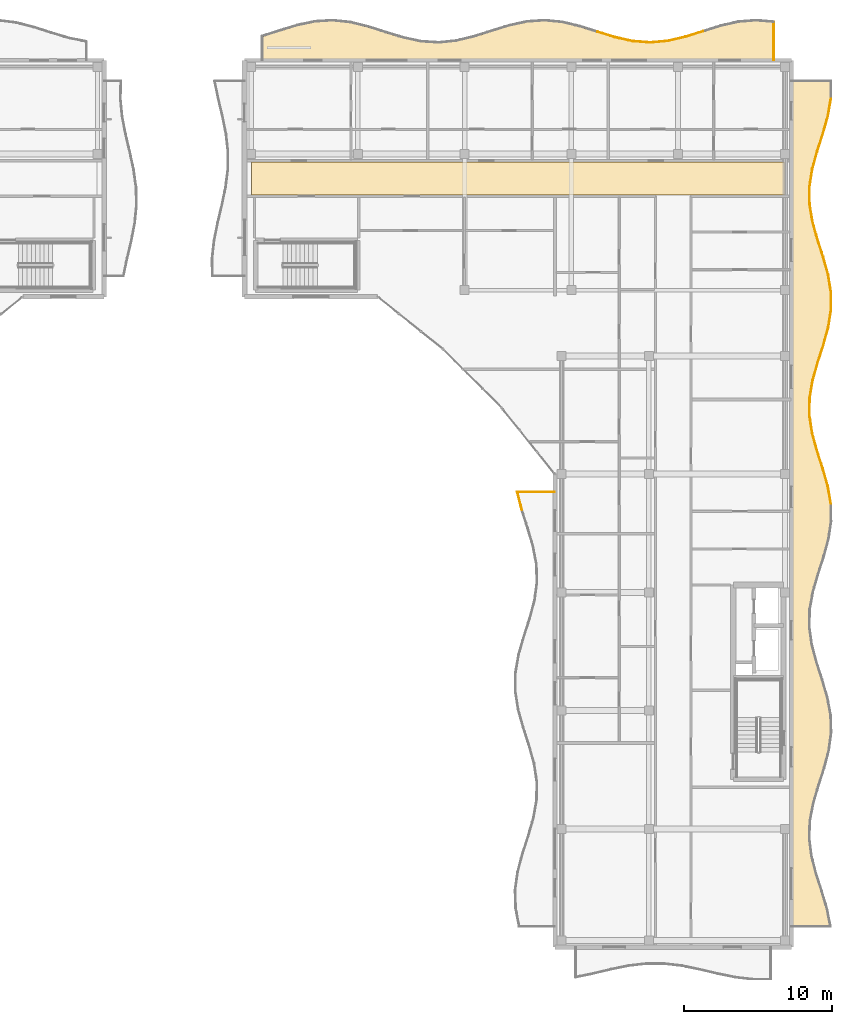
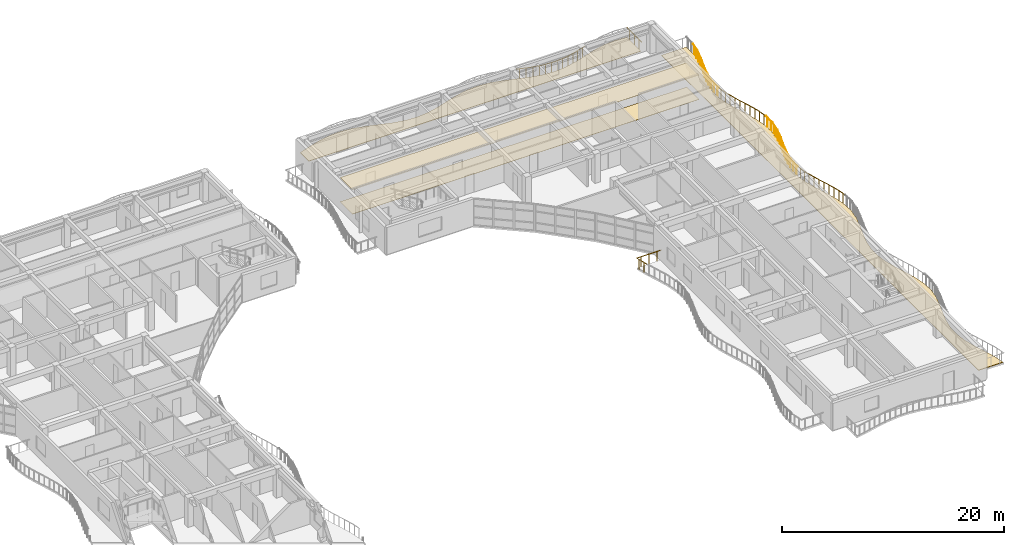
# One storey, part 70 of 71: 32 railings, 4 coverings.
"""IFC4 building model written with IfcOpenShell, lengths in metres."""

import ifcopenshell
import ifcopenshell.guid

model = None  # the IFC model being written
_history = None  # IfcOwnerHistory: only IFC2X3 demands one
_inside = {}  # id of a spatial element -> (the spatial element, [elements in it])
_under = {}  # id of a project, library or spatial element -> (it, [spatial elements below it])
_declared = {}  # id of a project -> (the project, [libraries it declares])
_typed = {}  # id of a type object -> (the type object, [elements of that type])
_made_of = {}  # id of a material, layer set ... -> (it, [elements and type objects made of it])


def new_model(schema):
    """Start an empty IFC model of exactly this schema.

    Asked for "IFC4X3", IfcOpenShell would pick the latest addendum, in which some entities
    have other attributes; the version numbers below select the first issue.
    IFC2X3 requires an IfcOwnerHistory on every rooted entity: one is made here for all.
    """
    global model, _history
    if schema == "IFC4X3":
        model = ifcopenshell.file(schema_version=(4, 3, 0, 0))
    else:
        model = ifcopenshell.file(schema=schema)
    _inside.clear()
    _under.clear()
    _declared.clear()
    _typed.clear()
    _made_of.clear()
    _history = None
    if model.schema == "IFC2X3":
        org = make("IfcOrganization", Name="unknown")
        user = make(
            "IfcPersonAndOrganization",
            ThePerson=make("IfcPerson", FamilyName="unknown"),
            TheOrganization=org,
        )
        app = make(
            "IfcApplication",
            ApplicationDeveloper=org,
            Version="unknown",
            ApplicationFullName="unknown",
            ApplicationIdentifier="unknown",
        )
        _history = make(
            "IfcOwnerHistory",
            OwningUser=user,
            OwningApplication=app,
            ChangeAction="ADDED",
            CreationDate=0,
        )
    return model


def make(cls, **values):
    """One entity of the class cls with the attributes given. An attribute that is None is left unset."""
    return model.create_entity(
        cls, **{name: value for name, value in values.items() if value is not None}
    )


def rooted(cls, **values):
    """An entity with a GlobalId (a new one), such as an element, a storey or a relation."""
    return make(cls, GlobalId=ifcopenshell.guid.new(), OwnerHistory=_history, **values)


def si_unit(unit_type, name, prefix=None):
    """IfcSIUnit, for example si_unit("LENGTHUNIT", "METRE", prefix="MILLI")."""
    return make("IfcSIUnit", UnitType=unit_type, Prefix=prefix, Name=name)


def assignment(units):
    """IfcUnitAssignment: the units of a project."""
    return None if units is None else make("IfcUnitAssignment", Units=units)


def point(xyz):
    """IfcCartesianPoint."""
    return None if xyz is None else make("IfcCartesianPoint", Coordinates=xyz)


def direction(xyz):
    """IfcDirection."""
    return None if xyz is None else make("IfcDirection", DirectionRatios=xyz)


def frame(location, z_axis=None, x_axis=None):
    """IfcAxis2Placement3D, a coordinate frame: its origin and axes. An axis left out is left unset."""
    return make(
        "IfcAxis2Placement3D",
        Location=point(location),
        Axis=direction(z_axis),
        RefDirection=direction(x_axis),
    )


def frame_2d(location, x_axis=None):
    """IfcAxis2Placement2D, a coordinate frame in the plane: its origin and x axis."""
    return make(
        "IfcAxis2Placement2D", Location=point(location), RefDirection=direction(x_axis)
    )


def origin():
    """The frame at (0, 0, 0) with its axes left unset."""
    return frame((0.0, 0.0, 0.0))


def origin_2d():
    """The frame at (0, 0) in the plane with its x axis left unset."""
    return frame_2d((0.0, 0.0))


def place(relative_to, where):
    """IfcLocalPlacement: puts the frame where relative to a parent placement (None: the world)."""
    return make(
        "IfcLocalPlacement", PlacementRelTo=relative_to, RelativePlacement=where
    )


def context(
    kind, dimensions, precision=None, world=None, true_north=None, identifier=None
):
    """IfcGeometricRepresentationContext, for example the 3D "Model" context."""
    return make(
        "IfcGeometricRepresentationContext",
        ContextIdentifier=identifier,
        ContextType=kind,
        CoordinateSpaceDimension=dimensions,
        Precision=precision,
        WorldCoordinateSystem=world,
        TrueNorth=true_north,
    )


def subcontext(parent, identifier, kind, view, scale=None):
    """IfcGeometricRepresentationSubContext, for example "Body" below "Model"."""
    return make(
        "IfcGeometricRepresentationSubContext",
        ContextIdentifier=identifier,
        ContextType=kind,
        ParentContext=parent,
        TargetScale=scale,
        TargetView=view,
    )


def project(units=None, contexts=None):
    """IfcProject with its units and contexts."""
    return rooted(
        "IfcProject",
        Name="project",
        RepresentationContexts=contexts,
        UnitsInContext=assignment(units),
    )


def spatial(cls, under=None, at=None, **own):
    """A site, building, storey or space (cls), placed at a placement, below another one or the project."""
    s = rooted(cls, ObjectPlacement=at, **own)
    if under is not None:
        _under.setdefault(under.id(), (under, []))[1].append(s)
    return s


def polyline(points):
    """IfcPolyline through the points."""
    return make("IfcPolyline", Points=[point(p) for p in points])


def profile(cls, at=None, kind="AREA", **sizes):
    """A parametric profile (cls). Its sizes go by their IFC names, for example OverallWidth=200.0."""
    return make(cls, ProfileType=kind, Position=at, **sizes)


def circle(**sizes):
    """IfcCircleProfileDef."""
    return profile("IfcCircleProfileDef", **sizes)


def outline(outer, holes=None, kind="AREA"):
    """IfcArbitraryClosedProfileDef: a profile drawn as a closed curve; with holes, ...WithVoids."""
    if holes is None:
        return make("IfcArbitraryClosedProfileDef", ProfileType=kind, OuterCurve=outer)
    return make(
        "IfcArbitraryProfileDefWithVoids",
        ProfileType=kind,
        OuterCurve=outer,
        InnerCurves=holes,
    )


def extrude(swept, where, along, depth):
    """IfcExtrudedAreaSolid: the profile swept, set in the frame where, extruded along a direction by depth."""
    return make(
        "IfcExtrudedAreaSolid",
        SweptArea=swept,
        Position=where,
        ExtrudedDirection=direction(along),
        Depth=depth,
    )


def shape(context_of_items, identifier, shape_type, items):
    """IfcShapeRepresentation: the items that make up one representation, for example the "Body"."""
    return make(
        "IfcShapeRepresentation",
        ContextOfItems=context_of_items,
        RepresentationIdentifier=identifier,
        RepresentationType=shape_type,
        Items=items,
    )


def material(Name=None, Category=None):
    """IfcMaterial."""
    return make("IfcMaterial", Name=Name, Category=Category)


def layer(
    of_material, thickness, ventilated=None, Name=None, Category=None, Priority=None
):
    """IfcMaterialLayer: one layer of a wall or slab, of a material (None: an air gap)."""
    return make(
        "IfcMaterialLayer",
        Material=of_material,
        LayerThickness=thickness,
        IsVentilated=ventilated,
        Name=Name,
        Category=Category,
        Priority=Priority,
    )


def layer_set(layers, Name=None):
    """IfcMaterialLayerSet."""
    return make("IfcMaterialLayerSet", MaterialLayers=layers, LayerSetName=Name)


def made_of(thing, what):
    """Note that an element or type object is made of a material, layer set ...; save() writes the relation."""
    if what is not None:
        _made_of.setdefault(what.id(), (what, []))[1].append(thing)
    return thing


def type_object(cls, material=None, **own):
    """A type object (cls), such as IfcWallType, which elements share."""
    return made_of(rooted(cls, **own), material)


def element(
    cls,
    number,
    at=None,
    inside=None,
    cuts=None,
    type_object=None,
    material=None,
    context=None,
    identifier="Body",
    shape_type=None,
    held_by="IfcProductDefinitionShape",
    body=None,
    shapes=None,
    **own,
):
    """One element of the class cls, such as IfcWall. Its Tag is "e" and its number.

    at: its placement. inside: the storey or other place that contains it. cuts: it is an
    opening in that element (IfcRelVoidsElement). A single representation is given by context,
    identifier, shape_type and body (its items); several are given by shapes. held_by: the class
    of the entity that holds the representations. save() writes the other relations.
    """
    e = rooted(cls, Tag="e%d" % number, ObjectPlacement=at, **own)
    if body is not None:
        shapes = [shape(context, identifier, shape_type, body)]
    if shapes is not None:
        e.Representation = make(held_by, Representations=shapes)
    if inside is not None:
        _inside.setdefault(inside.id(), (inside, []))[1].append(e)
    if cuts is not None:
        rooted(
            "IfcRelVoidsElement", RelatingBuildingElement=cuts, RelatedOpeningElement=e
        )
    if type_object is not None:
        _typed.setdefault(type_object.id(), (type_object, []))[1].append(e)
    return made_of(e, material)


def aggregate(whole, parts):
    """IfcRelAggregates: a whole, such as a stair, and the parts it consists of."""
    return rooted("IfcRelAggregates", RelatingObject=whole, RelatedObjects=parts)


def save(model, path):
    """Write the relations noted so far, then the file.

    IfcRelAggregates (storeys below a building ...), IfcRelContainedInSpatialStructure (elements
    in a storey), IfcRelDefinesByType, IfcRelAssociatesMaterial and IfcRelDeclares: one each for
    every whole, place, type object, material and project.
    """
    for whole, parts in _under.values():
        aggregate(whole, parts)
    for where, things in _inside.values():
        rooted(
            "IfcRelContainedInSpatialStructure",
            RelatedElements=things,
            RelatingStructure=where,
        )
    for kind, things in _typed.values():
        rooted("IfcRelDefinesByType", RelatedObjects=things, RelatingType=kind)
    for what, things in _made_of.values():
        rooted("IfcRelAssociatesMaterial", RelatedObjects=things, RelatingMaterial=what)
    for by, libraries in _declared.values():
        rooted("IfcRelDeclares", RelatingContext=by, RelatedDefinitions=libraries)
    model.write(path)


model = new_model("IFC4")

# Units and contexts
model_context = context("Model", 3, precision=1e-05, world=origin(), true_north=direction((0.0, 1.0)))
body_context = subcontext(model_context, "Body", "Model", "MODEL_VIEW")
ifc_project = project(units=[si_unit("LENGTHUNIT", "METRE"), si_unit("AREAUNIT", "SQUARE_METRE"), si_unit("VOLUMEUNIT", "CUBIC_METRE"), si_unit("PLANEANGLEUNIT", "RADIAN"), si_unit("MASSUNIT", "GRAM", prefix="KILO")], contexts=[model_context])

# Site, building, storey
site_placement = place(None, origin())
site = spatial("IfcSite", under=ifc_project, at=site_placement, CompositionType="ELEMENT")
building_placement = place(site_placement, origin())
building = spatial("IfcBuilding", under=site, at=building_placement, Name="Keldmere Railside Commons", CompositionType="ELEMENT")
storey_placement = place(building_placement, frame((0.0, 0.0, 20.159912109375)))
storey = spatial("IfcBuildingStorey", under=building, at=storey_placement, Name="L06", CompositionType="ELEMENT", Elevation=20.159912109375)

# Railings
ifc_material_1 = material(Name="Steel F-24 (S235)", Category="steel")
railing_type = type_object("IfcRailingType", Name="Balcony & Terrace Steel Balustrade 1100", PredefinedType="BALUSTRADE", material=ifc_material_1)
railing_1_placement = place(storey_placement, frame((170.868896484375, 117.925048828125, 0.0)))
element("IfcRailing", 1, at=railing_1_placement, inside=storey, type_object=railing_type, Name="GR-1 GRD-L06-3841", PredefinedType="BALUSTRADE", context=body_context, shape_type="SweptSolid", body=[
    extrude(circle(Radius=0.02392578125, at=origin_2d()), frame((0.0, 0.0, 1.076171875), z_axis=(0.955210932165, -0.295925793186, 0.0), x_axis=(0.295925793186, 0.955210932165, 0.0)), (0.0, 0.0, 1.0), 1.2490234375),
    extrude(circle(Radius=0.02099609375, at=origin_2d()), frame((0.29833984375, -0.09228515625, 0.0)), (0.0, 0.0, 1.0), 1.048095703125),
    extrude(circle(Radius=0.02099609375, at=origin_2d()), frame((0.894775390625, -0.27734375, 0.0)), (0.0, 0.0, 1.0), 1.048095703125),
])
railing_2_placement = place(storey_placement, frame((172.06201171875, 117.555419921875, 0.0)))
element("IfcRailing", 2, at=railing_2_placement, inside=storey, type_object=railing_type, Name="GR-1 GRD-L06-3842", PredefinedType="BALUSTRADE", context=body_context, shape_type="SweptSolid", body=[
    extrude(circle(Radius=0.02392578125, at=origin_2d()), frame((0.0, 0.0, 1.076171875), z_axis=(0.976229343838, -0.216740093731, 0.0), x_axis=(0.216740093731, 0.976229343838, 0.0)), (0.0, 0.0, 1.0), 1.22216796875),
    extrude(circle(Radius=0.02099609375, at=origin_2d()), frame((0.29833984375, -0.066162109375, 0.0)), (0.0, 0.0, 1.0), 1.048095703125),
    extrude(circle(Radius=0.02099609375, at=origin_2d()), frame((0.894775390625, -0.19873046875, 0.0)), (0.0, 0.0, 1.0), 1.048095703125),
])
railing_3_placement = place(storey_placement, frame((173.255126953125, 117.29052734375, 0.0)))
element("IfcRailing", 3, at=railing_3_placement, inside=storey, type_object=railing_type, Name="GR-1 GRD-L06-3843", PredefinedType="BALUSTRADE", context=body_context, shape_type="SweptSolid", body=[
    extrude(circle(Radius=0.02392578125, at=origin_2d()), frame((0.0, 0.0, 1.076171875), z_axis=(0.997146180009, -0.075495004421, 0.0), x_axis=(0.075495004421, 0.997146180009, 0.0)), (0.0, 0.0, 1.0), 1.196533203125),
    extrude(circle(Radius=0.02099609375, at=origin_2d()), frame((0.29833984375, -0.0224609375, 0.0)), (0.0, 0.0, 1.0), 1.048095703125),
    extrude(circle(Radius=0.02099609375, at=origin_2d()), frame((0.894775390625, -0.06787109375, 0.0)), (0.0, 0.0, 1.0), 1.048095703125),
])
railing_4_placement = place(storey_placement, frame((174.4482421875, 117.2001953125, 0.0)))
element("IfcRailing", 4, at=railing_4_placement, inside=storey, type_object=railing_type, Name="GR-1 GRD-L06-3844", PredefinedType="BALUSTRADE", context=body_context, shape_type="SweptSolid", body=[
    extrude(circle(Radius=0.02392578125, at=origin_2d()), frame((0.0, 0.0, 1.076171875), z_axis=(0.995898216053, 0.090480623681, 0.0), x_axis=(-0.090480623681, 0.995898216053, 0.0)), (0.0, 0.0, 1.0), 1.197998046875),
    extrude(circle(Radius=0.02099609375, at=origin_2d()), frame((0.29833984375, 0.027099609375, 0.0)), (0.0, 0.0, 1.0), 1.048095703125),
    extrude(circle(Radius=0.02099609375, at=origin_2d()), frame((0.894775390625, 0.081298828125, 0.0)), (0.0, 0.0, 1.0), 1.048095703125),
])
railing_5_placement = place(storey_placement, frame((175.641357421875, 117.30859375, 0.0)))
element("IfcRailing", 5, at=railing_5_placement, inside=storey, type_object=railing_type, Name="GR-1 GRD-L06-3845", PredefinedType="BALUSTRADE", context=body_context, shape_type="SweptSolid", body=[
    extrude(circle(Radius=0.02392578125, at=origin_2d()), frame((0.0, 0.0, 1.076171875), z_axis=(0.973854437062, 0.227172919634, 0.0), x_axis=(-0.227172919634, 0.973854437062, 0.0)), (0.0, 0.0, 1.0), 1.22509765625),
    extrude(circle(Radius=0.02099609375, at=origin_2d()), frame((0.29833984375, 0.069580078125, 0.0)), (0.0, 0.0, 1.0), 1.048095703125),
    extrude(circle(Radius=0.02099609375, at=origin_2d()), frame((0.894775390625, 0.208740234375, 0.0)), (0.0, 0.0, 1.0), 1.048095703125),
])
railing_6_placement = place(storey_placement, frame((176.83447265625, 117.5869140625, 0.0)))
element("IfcRailing", 6, at=railing_6_placement, inside=storey, type_object=railing_type, Name="GR-1 GRD-L06-3846", PredefinedType="BALUSTRADE", context=body_context, shape_type="SweptSolid", body=[
    extrude(circle(Radius=0.02392578125, at=origin_2d()), frame((0.0, 0.0, 1.076171875), z_axis=(0.954100555413, 0.299486444036, 0.0), x_axis=(-0.299486444036, 0.954100555413, 0.0)), (0.0, 0.0, 1.0), 1.25048828125),
    extrude(circle(Radius=0.02099609375, at=origin_2d()), frame((0.29833984375, 0.09375, 0.0)), (0.0, 0.0, 1.0), 1.048095703125),
    extrude(circle(Radius=0.02099609375, at=origin_2d()), frame((0.894775390625, 0.28076171875, 0.0)), (0.0, 0.0, 1.0), 1.048095703125),
])
railing_7_placement = place(storey_placement, frame((182.800048828125, 118.598388671875, 0.0)))
element("IfcRailing", 7, at=railing_7_placement, inside=storey, type_object=railing_type, Name="GR-1 GRD-L06-3851", PredefinedType="BALUSTRADE", context=body_context, shape_type="SweptSolid", body=[
    extrude(circle(Radius=0.02392578125, at=origin_2d()), frame((0.0, 0.0, 1.076171875), z_axis=(0.0, -1.0, 0.0), x_axis=(1.0, 0.0, 0.0)), (0.0, 0.0, 1.0), 2.598388671875),
    extrude(circle(Radius=0.02099609375, at=origin_2d()), frame((0.0, -0.43310546875, 0.0)), (0.0, 0.0, 1.0), 1.048095703125),
    extrude(circle(Radius=0.02099609375, at=origin_2d()), frame((0.0, -1.29931640625, 0.0)), (0.0, 0.0, 1.0), 1.048095703125),
    extrude(circle(Radius=0.02099609375, at=origin_2d()), frame((0.0, -2.165283203125, 0.0)), (0.0, 0.0, 1.0), 1.048095703125),
])
railing_8_placement = place(storey_placement, frame((165.761962890625, 85.574951171875, 0.0)))
element("IfcRailing", 8, at=railing_8_placement, inside=storey, type_object=railing_type, Name="GR-1 GRD-L06-3876", PredefinedType="BALUSTRADE", context=body_context, shape_type="SweptSolid", body=[
    extrude(circle(Radius=0.02392578125, at=origin_2d()), frame((0.0, 0.0, 1.076171875), z_axis=(-0.24716724352, 0.968972834362, 0.0), x_axis=(-0.968972834362, -0.24716724352, 0.0)), (0.0, 0.0, 1.0), 1.264404296875),
    extrude(circle(Radius=0.02099609375, at=origin_2d()), frame((-0.078125, 0.30615234375, 0.0)), (0.0, 0.0, 1.0), 1.048095703125),
    extrude(circle(Radius=0.02099609375, at=origin_2d()), frame((-0.234375, 0.9189453125, 0.0)), (0.0, 0.0, 1.0), 1.048095703125),
])
railing_9_placement = place(storey_placement, frame((165.449462890625, 86.800048828125, 0.0)))
element("IfcRailing", 9, at=railing_9_placement, inside=storey, type_object=railing_type, Name="GR-1 GRD-L06-3877", PredefinedType="BALUSTRADE", context=body_context, shape_type="SweptSolid", body=[
    extrude(circle(Radius=0.02392578125, at=origin_2d()), frame((0.0, 0.0, 1.076171875), z_axis=(1.0, 0.0, 0.0), x_axis=(0.0, 1.0, 0.0)), (0.0, 0.0, 1.0), 2.550537109375),
    extrude(circle(Radius=0.02099609375, at=origin_2d()), frame((0.425048828125, 0.0, 0.0)), (0.0, 0.0, 1.0), 1.048095703125),
    extrude(circle(Radius=0.02099609375, at=origin_2d()), frame((1.275390625, 0.0, 0.0)), (0.0, 0.0, 1.0), 1.048095703125),
    extrude(circle(Radius=0.02099609375, at=origin_2d()), frame((2.12548828125, 0.0, 0.0)), (0.0, 0.0, 1.0), 1.048095703125),
])
railing_10_placement = place(storey_placement, frame((186.66455078125, 86.0, 0.0)))
element("IfcRailing", 10, at=railing_10_placement, inside=storey, type_object=railing_type, Name="GR-1 GRD-L06-3903", PredefinedType="BALUSTRADE", context=body_context, shape_type="SweptSolid", body=[
    extrude(circle(Radius=0.02392578125, at=origin_2d()), frame((0.0, 0.0, 1.076171875), z_axis=(-0.171758524499, 0.985139081177, 0.0), x_axis=(-0.985139081177, -0.171758524499, 0.0)), (0.0, 0.0, 1.0), 1.209716796875),
    extrude(circle(Radius=0.02099609375, at=origin_2d()), frame((-0.052001953125, 0.2978515625, 0.0)), (0.0, 0.0, 1.0), 1.048095703125),
    extrude(circle(Radius=0.02099609375, at=origin_2d()), frame((-0.15576171875, 0.893798828125, 0.0)), (0.0, 0.0, 1.0), 1.048095703125),
])
railing_11_placement = place(storey_placement, frame((186.456787109375, 87.191650390625, 0.0)))
element("IfcRailing", 11, at=railing_11_placement, inside=storey, type_object=railing_type, Name="GR-1 GRD-L06-3904", PredefinedType="BALUSTRADE", context=body_context, shape_type="SweptSolid", body=[
    extrude(circle(Radius=0.02392578125, at=origin_2d()), frame((0.0, 0.0, 1.076171875), z_axis=(-0.27552739493, 0.961293219909, 0.0), x_axis=(-0.961293219909, -0.27552739493, 0.0)), (0.0, 0.0, 1.0), 1.23974609375),
    extrude(circle(Radius=0.02099609375, at=origin_2d()), frame((-0.08544921875, 0.2978515625, 0.0)), (0.0, 0.0, 1.0), 1.048095703125),
    extrude(circle(Radius=0.02099609375, at=origin_2d()), frame((-0.256103515625, 0.893798828125, 0.0)), (0.0, 0.0, 1.0), 1.048095703125),
])
railing_12_placement = place(storey_placement, frame((186.115234375, 88.38330078125, 0.0)))
element("IfcRailing", 12, at=railing_12_placement, inside=storey, type_object=railing_type, Name="GR-1 GRD-L06-3905", PredefinedType="BALUSTRADE", context=body_context, shape_type="SweptSolid", body=[
    extrude(circle(Radius=0.02392578125, at=origin_2d()), frame((0.0, 0.0, 1.076171875), z_axis=(-0.307617856701, 0.951509986411, 0.0), x_axis=(-0.951509986411, -0.307617856701, 0.0)), (0.0, 0.0, 1.0), 1.25244140625),
    extrude(circle(Radius=0.02099609375, at=origin_2d()), frame((-0.09619140625, 0.2978515625, 0.0)), (0.0, 0.0, 1.0), 1.048095703125),
    extrude(circle(Radius=0.02099609375, at=origin_2d()), frame((-0.2890625, 0.893798828125, 0.0)), (0.0, 0.0, 1.0), 1.048095703125),
])
railing_13_placement = place(storey_placement, frame((185.72998046875, 89.574951171875, 0.0)))
element("IfcRailing", 13, at=railing_13_placement, inside=storey, type_object=railing_type, Name="GR-1 GRD-L06-3906", PredefinedType="BALUSTRADE", context=body_context, shape_type="SweptSolid", body=[
    extrude(circle(Radius=0.02392578125, at=origin_2d()), frame((0.0, 0.0, 1.076171875), z_axis=(-0.264738596027, 0.964320214334, 0.0), x_axis=(-0.964320214334, -0.264738596027, 0.0)), (0.0, 0.0, 1.0), 1.23583984375),
    extrude(circle(Radius=0.02099609375, at=origin_2d()), frame((-0.081787109375, 0.2978515625, 0.0)), (0.0, 0.0, 1.0), 1.048095703125),
    extrude(circle(Radius=0.02099609375, at=origin_2d()), frame((-0.245361328125, 0.893798828125, 0.0)), (0.0, 0.0, 1.0), 1.048095703125),
])
railing_14_placement = place(storey_placement, frame((185.40283203125, 90.7666015625, 0.0)))
element("IfcRailing", 14, at=railing_14_placement, inside=storey, type_object=railing_type, Name="GR-1 GRD-L06-3907", PredefinedType="BALUSTRADE", context=body_context, shape_type="SweptSolid", body=[
    extrude(circle(Radius=0.02392578125, at=origin_2d()), frame((0.0, 0.0, 1.076171875), z_axis=(-0.151478887307, 0.988460493242, 0.0), x_axis=(-0.988460493242, -0.151478887307, 0.0)), (0.0, 0.0, 1.0), 1.20556640625),
    extrude(circle(Radius=0.02099609375, at=origin_2d()), frame((-0.045654296875, 0.2978515625, 0.0)), (0.0, 0.0, 1.0), 1.048095703125),
    extrude(circle(Radius=0.02099609375, at=origin_2d()), frame((-0.136962890625, 0.893798828125, 0.0)), (0.0, 0.0, 1.0), 1.048095703125),
])
railing_15_placement = place(storey_placement, frame((185.22021484375, 91.958251953125, 0.0)))
element("IfcRailing", 15, at=railing_15_placement, inside=storey, type_object=railing_type, Name="GR-1 GRD-L06-3908", PredefinedType="BALUSTRADE", context=body_context, shape_type="SweptSolid", body=[
    extrude(circle(Radius=0.02392578125, at=origin_2d()), frame((0.0, 0.0, 1.076171875), z_axis=(0.008809328309, 0.999961197115, 0.0), x_axis=(-0.999961197115, 0.008809328309, 0.0)), (0.0, 0.0, 1.0), 1.191650390625),
    extrude(circle(Radius=0.02099609375, at=origin_2d()), frame((0.002685546875, 0.2978515625, 0.0)), (0.0, 0.0, 1.0), 1.048095703125),
    extrude(circle(Radius=0.02099609375, at=origin_2d()), frame((0.0078125, 0.893798828125, 0.0)), (0.0, 0.0, 1.0), 1.048095703125),
])
railing_16_placement = place(storey_placement, frame((185.230712890625, 93.14990234375, 0.0)))
element("IfcRailing", 16, at=railing_16_placement, inside=storey, type_object=railing_type, Name="GR-1 GRD-L06-3909", PredefinedType="BALUSTRADE", context=body_context, shape_type="SweptSolid", body=[
    extrude(circle(Radius=0.02392578125, at=origin_2d()), frame((0.0, 0.0, 1.076171875), z_axis=(0.16584009253, 0.986152657406, 0.0), x_axis=(-0.986152657406, 0.16584009253, 0.0)), (0.0, 0.0, 1.0), 1.208740234375),
    extrude(circle(Radius=0.02099609375, at=origin_2d()), frame((0.050048828125, 0.2978515625, 0.0)), (0.0, 0.0, 1.0), 1.048095703125),
    extrude(circle(Radius=0.02099609375, at=origin_2d()), frame((0.150390625, 0.89404296875, 0.0)), (0.0, 0.0, 1.0), 1.048095703125),
])
railing_17_placement = place(storey_placement, frame((185.43115234375, 94.341796875, 0.0)))
element("IfcRailing", 17, at=railing_17_placement, inside=storey, type_object=railing_type, Name="GR-1 GRD-L06-3910", PredefinedType="BALUSTRADE", context=body_context, shape_type="SweptSolid", body=[
    extrude(circle(Radius=0.02392578125, at=origin_2d()), frame((0.0, 0.0, 1.076171875), z_axis=(0.272663406136, 0.962109488028, 0.0), x_axis=(-0.962109488028, 0.272663406136, 0.0)), (0.0, 0.0, 1.0), 1.23828125),
    extrude(circle(Radius=0.02099609375, at=origin_2d()), frame((0.08447265625, 0.2978515625, 0.0)), (0.0, 0.0, 1.0), 1.048095703125),
    extrude(circle(Radius=0.02099609375, at=origin_2d()), frame((0.253173828125, 0.8935546875, 0.0)), (0.0, 0.0, 1.0), 1.048095703125),
])
railing_18_placement = place(storey_placement, frame((185.768798828125, 95.533203125, 0.0)))
element("IfcRailing", 18, at=railing_18_placement, inside=storey, type_object=railing_type, Name="GR-1 GRD-L06-3911", PredefinedType="BALUSTRADE", context=body_context, shape_type="SweptSolid", body=[
    extrude(circle(Radius=0.02392578125, at=origin_2d()), frame((0.0, 0.0, 1.076171875), z_axis=(0.307737259803, 0.95147137578, 0.0), x_axis=(-0.95147137578, 0.307737259803, 0.0)), (0.0, 0.0, 1.0), 1.252685546875),
    extrude(circle(Radius=0.02099609375, at=origin_2d()), frame((0.096435546875, 0.2978515625, 0.0)), (0.0, 0.0, 1.0), 1.048095703125),
    extrude(circle(Radius=0.02099609375, at=origin_2d()), frame((0.2890625, 0.89404296875, 0.0)), (0.0, 0.0, 1.0), 1.048095703125),
])
railing_19_placement = place(storey_placement, frame((186.154296875, 96.72509765625, 0.0)))
element("IfcRailing", 19, at=railing_19_placement, inside=storey, type_object=railing_type, Name="GR-1 GRD-L06-3912", PredefinedType="BALUSTRADE", context=body_context, shape_type="SweptSolid", body=[
    extrude(circle(Radius=0.02392578125, at=origin_2d()), frame((0.0, 0.0, 1.076171875), z_axis=(0.268040861554, 0.963407544364, 0.0), x_axis=(-0.963407544364, 0.268040861554, 0.0)), (0.0, 0.0, 1.0), 1.23681640625),
    extrude(circle(Radius=0.02099609375, at=origin_2d()), frame((0.0830078125, 0.2978515625, 0.0)), (0.0, 0.0, 1.0), 1.048095703125),
    extrude(circle(Radius=0.02099609375, at=origin_2d()), frame((0.24853515625, 0.893798828125, 0.0)), (0.0, 0.0, 1.0), 1.048095703125),
])
railing_20_placement = place(storey_placement, frame((186.48583984375, 97.916748046875, 0.0)))
element("IfcRailing", 20, at=railing_20_placement, inside=storey, type_object=railing_type, Name="GR-1 GRD-L06-3913", PredefinedType="BALUSTRADE", context=body_context, shape_type="SweptSolid", body=[
    extrude(circle(Radius=0.02392578125, at=origin_2d()), frame((0.0, 0.0, 1.076171875), z_axis=(0.157406548712, 0.987533887227, 0.0), x_axis=(-0.987533887227, 0.157406548712, 0.0)), (0.0, 0.0, 1.0), 1.206787109375),
    extrude(circle(Radius=0.02099609375, at=origin_2d()), frame((0.04736328125, 0.2978515625, 0.0)), (0.0, 0.0, 1.0), 1.048095703125),
    extrude(circle(Radius=0.02099609375, at=origin_2d()), frame((0.142578125, 0.893798828125, 0.0)), (0.0, 0.0, 1.0), 1.048095703125),
])
railing_21_placement = place(storey_placement, frame((186.67578125, 99.1083984375, 0.0)))
element("IfcRailing", 21, at=railing_21_placement, inside=storey, type_object=railing_type, Name="GR-1 GRD-L06-3914", PredefinedType="BALUSTRADE", context=body_context, shape_type="SweptSolid", body=[
    extrude(circle(Radius=0.02392578125, at=origin_2d()), frame((0.0, 0.0, 1.076171875), z_axis=(-0.001639006198, 0.999998656828, 0.0), x_axis=(-0.999998656828, -0.001639006198, 0.0)), (0.0, 0.0, 1.0), 1.191650390625),
    extrude(circle(Radius=0.02099609375, at=origin_2d()), frame((-0.00048828125, 0.2978515625, 0.0)), (0.0, 0.0, 1.0), 1.048095703125),
    extrude(circle(Radius=0.02099609375, at=origin_2d()), frame((-0.00146484375, 0.893798828125, 0.0)), (0.0, 0.0, 1.0), 1.048095703125),
])
railing_22_placement = place(storey_placement, frame((186.673828125, 100.300048828125, 0.0)))
element("IfcRailing", 22, at=railing_22_placement, inside=storey, type_object=railing_type, Name="GR-1 GRD-L06-3915", PredefinedType="BALUSTRADE", context=body_context, shape_type="SweptSolid", body=[
    extrude(circle(Radius=0.02392578125, at=origin_2d()), frame((0.0, 0.0, 1.076171875), z_axis=(-0.160167019651, 0.987089927928, 0.0), x_axis=(-0.987089927928, -0.160167019651, 0.0)), (0.0, 0.0, 1.0), 1.207275390625),
    extrude(circle(Radius=0.02099609375, at=origin_2d()), frame((-0.04833984375, 0.2978515625, 0.0)), (0.0, 0.0, 1.0), 1.048095703125),
    extrude(circle(Radius=0.02099609375, at=origin_2d()), frame((-0.14501953125, 0.893798828125, 0.0)), (0.0, 0.0, 1.0), 1.048095703125),
])
railing_23_placement = place(storey_placement, frame((186.48046875, 101.49169921875, 0.0)))
element("IfcRailing", 23, at=railing_23_placement, inside=storey, type_object=railing_type, Name="GR-1 GRD-L06-3916", PredefinedType="BALUSTRADE", context=body_context, shape_type="SweptSolid", body=[
    extrude(circle(Radius=0.02392578125, at=origin_2d()), frame((0.0, 0.0, 1.076171875), z_axis=(-0.269505515933, 0.962998845732, 0.0), x_axis=(-0.962998845732, -0.269505515933, 0.0)), (0.0, 0.0, 1.0), 1.237548828125),
    extrude(circle(Radius=0.02099609375, at=origin_2d()), frame((-0.08349609375, 0.2978515625, 0.0)), (0.0, 0.0, 1.0), 1.048095703125),
    extrude(circle(Radius=0.02099609375, at=origin_2d()), frame((-0.25, 0.893798828125, 0.0)), (0.0, 0.0, 1.0), 1.048095703125),
])
railing_24_placement = place(storey_placement, frame((186.14697265625, 102.683349609375, 0.0)))
element("IfcRailing", 24, at=railing_24_placement, inside=storey, type_object=railing_type, Name="GR-1 GRD-L06-3917", PredefinedType="BALUSTRADE", context=body_context, shape_type="SweptSolid", body=[
    extrude(circle(Radius=0.02392578125, at=origin_2d()), frame((0.0, 0.0, 1.076171875), z_axis=(-0.307794335351, 0.951452913772, 0.0), x_axis=(-0.951452913772, -0.307794335351, 0.0)), (0.0, 0.0, 1.0), 1.25244140625),
    extrude(circle(Radius=0.02099609375, at=origin_2d()), frame((-0.096435546875, 0.2978515625, 0.0)), (0.0, 0.0, 1.0), 1.048095703125),
    extrude(circle(Radius=0.02099609375, at=origin_2d()), frame((-0.2890625, 0.893798828125, 0.0)), (0.0, 0.0, 1.0), 1.048095703125),
])
railing_25_placement = place(storey_placement, frame((185.761474609375, 103.875, 0.0)))
element("IfcRailing", 25, at=railing_25_placement, inside=storey, type_object=railing_type, Name="GR-1 GRD-L06-3918", PredefinedType="BALUSTRADE", context=body_context, shape_type="SweptSolid", body=[
    extrude(circle(Radius=0.02392578125, at=origin_2d()), frame((0.0, 0.0, 1.076171875), z_axis=(-0.271333706361, 0.962485334845, 0.0), x_axis=(-0.962485334845, -0.271333706361, 0.0)), (0.0, 0.0, 1.0), 1.238037109375),
    extrude(circle(Radius=0.02099609375, at=origin_2d()), frame((-0.083984375, 0.2978515625, 0.0)), (0.0, 0.0, 1.0), 1.048095703125),
    extrude(circle(Radius=0.02099609375, at=origin_2d()), frame((-0.251953125, 0.893798828125, 0.0)), (0.0, 0.0, 1.0), 1.048095703125),
])
railing_26_placement = place(storey_placement, frame((185.425537109375, 105.066650390625, 0.0)))
element("IfcRailing", 26, at=railing_26_placement, inside=storey, type_object=railing_type, Name="GR-1 GRD-L06-3919", PredefinedType="BALUSTRADE", context=body_context, shape_type="SweptSolid", body=[
    extrude(circle(Radius=0.02392578125, at=origin_2d()), frame((0.0, 0.0, 1.076171875), z_axis=(-0.163120501101, 0.986606153498, 0.0), x_axis=(-0.986606153498, -0.163120501101, 0.0)), (0.0, 0.0, 1.0), 1.207763671875),
    extrude(circle(Radius=0.02099609375, at=origin_2d()), frame((-0.04931640625, 0.2978515625, 0.0)), (0.0, 0.0, 1.0), 1.048095703125),
    extrude(circle(Radius=0.02099609375, at=origin_2d()), frame((-0.147705078125, 0.893798828125, 0.0)), (0.0, 0.0, 1.0), 1.048095703125),
])
railing_27_placement = place(storey_placement, frame((185.228515625, 106.25830078125, 0.0)))
element("IfcRailing", 27, at=railing_27_placement, inside=storey, type_object=railing_type, Name="GR-1 GRD-L06-3920", PredefinedType="BALUSTRADE", context=body_context, shape_type="SweptSolid", body=[
    extrude(circle(Radius=0.02392578125, at=origin_2d()), frame((0.0, 0.0, 1.076171875), z_axis=(-0.005326701729, 0.999985813024, 0.0), x_axis=(-0.999985813024, -0.005326701729, 0.0)), (0.0, 0.0, 1.0), 1.191650390625),
    extrude(circle(Radius=0.02099609375, at=origin_2d()), frame((-0.00146484375, 0.2978515625, 0.0)), (0.0, 0.0, 1.0), 1.048095703125),
    extrude(circle(Radius=0.02099609375, at=origin_2d()), frame((-0.0048828125, 0.893798828125, 0.0)), (0.0, 0.0, 1.0), 1.048095703125),
])
railing_28_placement = place(storey_placement, frame((185.22216796875, 107.449951171875, 0.0)))
element("IfcRailing", 28, at=railing_28_placement, inside=storey, type_object=railing_type, Name="GR-1 GRD-L06-3921", PredefinedType="BALUSTRADE", context=body_context, shape_type="SweptSolid", body=[
    extrude(circle(Radius=0.02392578125, at=origin_2d()), frame((0.0, 0.0, 1.076171875), z_axis=(0.154247203987, 0.988032286953, 0.0), x_axis=(-0.988032286953, 0.154247203987, 0.0)), (0.0, 0.0, 1.0), 1.2060546875),
    extrude(circle(Radius=0.02099609375, at=origin_2d()), frame((0.04638671875, 0.2978515625, 0.0)), (0.0, 0.0, 1.0), 1.048095703125),
    extrude(circle(Radius=0.02099609375, at=origin_2d()), frame((0.1396484375, 0.893798828125, 0.0)), (0.0, 0.0, 1.0), 1.048095703125),
])
railing_29_placement = place(storey_placement, frame((185.408203125, 108.6416015625, 0.0)))
element("IfcRailing", 29, at=railing_29_placement, inside=storey, type_object=railing_type, Name="GR-1 GRD-L06-3922", PredefinedType="BALUSTRADE", context=body_context, shape_type="SweptSolid", body=[
    extrude(circle(Radius=0.02392578125, at=origin_2d()), frame((0.0, 0.0, 1.076171875), z_axis=(0.266207427511, 0.963915766827, 0.0), x_axis=(-0.963915766827, 0.266207427511, 0.0)), (0.0, 0.0, 1.0), 1.236328125),
    extrude(circle(Radius=0.02099609375, at=origin_2d()), frame((0.082275390625, 0.2978515625, 0.0)), (0.0, 0.0, 1.0), 1.048095703125),
    extrude(circle(Radius=0.02099609375, at=origin_2d()), frame((0.246826171875, 0.893798828125, 0.0)), (0.0, 0.0, 1.0), 1.048095703125),
])
railing_30_placement = place(storey_placement, frame((185.7373046875, 109.833251953125, 0.0)))
element("IfcRailing", 30, at=railing_30_placement, inside=storey, type_object=railing_type, Name="GR-1 GRD-L06-3923", PredefinedType="BALUSTRADE", context=body_context, shape_type="SweptSolid", body=[
    extrude(circle(Radius=0.02392578125, at=origin_2d()), frame((0.0, 0.0, 1.076171875), z_axis=(0.307794335351, 0.951452913772, 0.0), x_axis=(-0.951452913772, 0.307794335351, 0.0)), (0.0, 0.0, 1.0), 1.25244140625),
    extrude(circle(Radius=0.02099609375, at=origin_2d()), frame((0.096435546875, 0.2978515625, 0.0)), (0.0, 0.0, 1.0), 1.048095703125),
    extrude(circle(Radius=0.02099609375, at=origin_2d()), frame((0.2890625, 0.893798828125, 0.0)), (0.0, 0.0, 1.0), 1.048095703125),
])
railing_31_placement = place(storey_placement, frame((186.122802734375, 111.02490234375, 0.0)))
element("IfcRailing", 31, at=railing_31_placement, inside=storey, type_object=railing_type, Name="GR-1 GRD-L06-3924", PredefinedType="BALUSTRADE", context=body_context, shape_type="SweptSolid", body=[
    extrude(circle(Radius=0.02392578125, at=origin_2d()), frame((0.0, 0.0, 1.076171875), z_axis=(0.274018566764, 0.961724401827, 0.0), x_axis=(-0.961724401827, 0.274018566764, 0.0)), (0.0, 0.0, 1.0), 1.2392578125),
    extrude(circle(Radius=0.02099609375, at=origin_2d()), frame((0.0849609375, 0.2978515625, 0.0)), (0.0, 0.0, 1.0), 1.048095703125),
    extrude(circle(Radius=0.02099609375, at=origin_2d()), frame((0.254638671875, 0.89404296875, 0.0)), (0.0, 0.0, 1.0), 1.048095703125),
])
railing_32_placement = place(storey_placement, frame((186.46240234375, 112.216796875, 0.0)))
element("IfcRailing", 32, at=railing_32_placement, inside=storey, type_object=railing_type, Name="GR-1 GRD-L06-3925", PredefinedType="BALUSTRADE", context=body_context, shape_type="SweptSolid", body=[
    extrude(circle(Radius=0.02392578125, at=origin_2d()), frame((0.0, 0.0, 1.076171875), z_axis=(0.169047901435, 0.985607836323, 0.0), x_axis=(-0.985607836323, 0.169047901435, 0.0)), (0.0, 0.0, 1.0), 1.208740234375),
    extrude(circle(Radius=0.02099609375, at=origin_2d()), frame((0.051025390625, 0.2978515625, 0.0)), (0.0, 0.0, 1.0), 1.048095703125),
    extrude(circle(Radius=0.02099609375, at=origin_2d()), frame((0.1533203125, 0.8935546875, 0.0)), (0.0, 0.0, 1.0), 1.048095703125),
])

# Coverings
ifc_material_2 = material(Name="Polished Terrazzo Tile Flooring", Category="concrete")
ifc_layer_1 = layer(ifc_material_2, 0.030029296875, Name="Polished Terrazzo Floor Finish 30")
ifc_layer_set_1 = layer_set([ifc_layer_1], Name="Polished Terrazzo Tile Flooring")
covering_type_1 = type_object("IfcCoveringType", Name="Polished Terrazzo Floor Finish 30", PredefinedType="FLOORING", material=ifc_layer_set_1)
covering_1_placement = place(storey_placement, origin())
element("IfcCovering", 33, at=covering_1_placement, inside=storey, type_object=covering_type_1, Name="FLR-1 Corridor Terrazzo A-L06", PredefinedType="FLOORING", context=body_context, shape_type="SweptSolid", body=[
    extrude(outline(polyline([(147.47998046875, 106.8798828125), (183.52001953125, 106.8798828125), (183.52001953125, 109.1201171875), (147.47998046875, 109.1201171875), (147.47998046875, 106.8798828125)])), origin(), (0.0, 0.0, 1.0), 0.030029296875),
])
ifc_material_3 = material(Name="Acoustic Mineral-Fibre Gypsum Ceiling", Category="gypsum")
ifc_layer_2 = layer(ifc_material_3, 0.02490234375, Name="Suspended Acoustic Ceiling 25")
ifc_layer_set_2 = layer_set([ifc_layer_2], Name="Acoustic Mineral-Fibre Gypsum Ceiling")
covering_type_2 = type_object("IfcCoveringType", Name="Suspended Acoustic Ceiling 25", PredefinedType="CEILING", material=ifc_layer_set_2)
covering_2_placement = place(storey_placement, frame((0.0, 0.0, 2.675048828125)))
element("IfcCovering", 34, at=covering_2_placement, inside=storey, type_object=covering_type_2, Name="CLG-1 Corridor Ceiling A-L06", PredefinedType="CEILING", context=body_context, shape_type="SweptSolid", body=[
    extrude(outline(polyline([(147.47998046875, 106.8798828125), (183.52001953125, 106.8798828125), (183.52001953125, 109.1201171875), (147.47998046875, 109.1201171875), (147.47998046875, 106.8798828125)])), origin(), (0.0, 0.0, 1.0), 0.025146484375),
])
ifc_material_4 = material(Name="White Precast Concrete C35/45", Category="concrete")
ifc_layer_3 = layer(ifc_material_4, 0.044921875, Name="White Architectural Balcony Ribbon Cladding 45")
ifc_layer_set_3 = layer_set([ifc_layer_3], Name="White Precast Concrete C35/45")
covering_type_3 = type_object("IfcCoveringType", Name="White Architectural Balcony Ribbon Cladding 45", PredefinedType="FLOORING", material=ifc_layer_set_3)
covering_3_placement = place(storey_placement, origin())
element("IfcCovering", 35, at=covering_3_placement, inside=storey, type_object=covering_type_3, Name="CLG-WB A L06 N White Balcony Ribbon", PredefinedType="FLOORING", context=body_context, shape_type="SweptSolid", body=[
    extrude(outline(polyline([(182.760009765625, 116.0400390625), (182.760009765625, 118.5615234375), (181.606689453125, 118.659912109375), (180.419921875, 118.563232421875), (179.231201171875, 118.294189453125), (178.03955078125, 117.923095703125), (176.846435546875, 117.548583984375), (176.843505859375, 117.5478515625), (175.650390625, 117.26953125), (175.64501953125, 117.268798828125), (174.451904296875, 117.160400390625), (174.448486328125, 117.16015625), (174.4453125, 117.160400390625), (173.252197265625, 117.25048828125), (173.24658203125, 117.25146484375), (172.053466796875, 117.5166015625), (172.05029296875, 117.517333984375), (170.857177734375, 117.886962890625), (170.85693359375, 117.886962890625), (169.665283203125, 118.2626953125), (168.476318359375, 118.544677734375), (167.289306640625, 118.6591796875), (166.102294921875, 118.576171875), (164.91357421875, 118.317138671875), (163.72216796875, 117.9501953125), (162.529296875, 117.57275390625), (162.526611328125, 117.572021484375), (161.33349609375, 117.2841796875), (161.328125, 117.283203125), (160.135009765625, 117.16162109375), (160.131591796875, 117.161376953125), (160.12841796875, 117.16162109375), (158.935302734375, 117.23828125), (158.929443359375, 117.239013671875), (157.736328125, 117.49365234375), (157.733154296875, 117.49462890625), (156.5400390625, 117.85986328125), (156.53955078125, 117.85986328125), (155.347900390625, 118.238525390625), (154.15869140625, 118.52978515625), (152.971435546875, 118.65771484375), (151.78466796875, 118.588134765625), (150.59619140625, 118.339599609375), (149.405029296875, 117.977294921875), (148.239990234375, 117.60595703125), (148.239990234375, 116.0400390625), (182.760009765625, 116.0400390625)])), origin(), (0.0, 0.0, 1.0), 0.045166015625),
])
covering_4_placement = place(storey_placement, origin())
element("IfcCovering", 36, at=covering_4_placement, inside=storey, type_object=covering_type_3, Name="CLG-WB A L06 CE White Balcony Ribbon", PredefinedType="FLOORING", context=body_context, shape_type="SweptSolid", body=[
    extrude(outline(polyline([(186.367919921875, 58.58203125), (186.0126953125, 59.771484375), (185.630126953125, 60.962890625), (185.629638671875, 60.965087890625), (185.3212890625, 62.15673828125), (185.3203125, 62.16162109375), (185.168212890625, 63.353271484375), (185.16796875, 63.3564453125), (185.16796875, 63.35986328125), (185.2119140625, 64.551513671875), (185.212158203125, 64.554443359375), (185.212646484375, 64.5576171875), (185.441162109375, 65.749267578125), (185.44189453125, 65.7529296875), (185.794677734375, 66.944580078125), (185.794921875, 66.945556640625), (186.177978515625, 68.13623046875), (186.490234375, 69.324462890625), (186.6494140625, 70.510498046875), (186.614013671875, 71.69580078125), (186.393310546875, 72.88232421875), (186.044921875, 74.071533203125), (185.66064453125, 75.2626953125), (185.66015625, 75.2646484375), (185.34228515625, 76.456298828125), (185.34130859375, 76.461181640625), (185.173828125, 77.652587890625), (185.173583984375, 77.656005859375), (185.17333984375, 77.6591796875), (185.20068359375, 78.850830078125), (185.20068359375, 78.85400390625), (185.201171875, 78.857177734375), (185.416015625, 80.048828125), (185.4169921875, 80.052734375), (185.762451171875, 81.244384765625), (185.7626953125, 81.24560546875), (186.147216796875, 82.436279296875), (186.468994140625, 83.625), (186.643310546875, 84.810791015625), (186.62451171875, 85.99609375), (186.41796875, 87.1826171875), (186.076904296875, 88.37158203125), (185.69189453125, 89.562744140625), (185.69140625, 89.564453125), (185.3642578125, 90.756103515625), (185.36328125, 90.760498046875), (185.180908203125, 91.9521484375), (185.180419921875, 91.955322265625), (185.180419921875, 91.95849609375), (185.190673828125, 93.150390625), (185.19091796875, 93.153564453125), (185.19140625, 93.156494140625), (185.391845703125, 94.348388671875), (185.392578125, 94.3525390625), (185.730224609375, 95.544189453125), (185.730712890625, 95.545654296875), (186.1162109375, 96.736572265625), (186.44677734375, 97.92529296875), (186.6357421875, 99.111328125), (186.6337890625, 100.296630859375), (186.44140625, 101.483154296875), (186.108642578125, 102.671630859375), (185.723388671875, 103.86279296875), (185.722900390625, 103.8642578125), (185.38720703125, 105.055908203125), (185.385986328125, 105.060302734375), (185.18896484375, 106.251708984375), (185.188720703125, 106.2548828125), (185.1884765625, 106.258056640625), (185.18212890625, 107.44970703125), (185.18212890625, 107.452880859375), (185.1826171875, 107.456298828125), (185.36865234375, 108.64794921875), (185.369384765625, 108.65234375), (185.69873046875, 109.843994140625), (185.69921875, 109.845703125), (186.08447265625, 111.03662109375), (186.42333984375, 112.2255859375), (186.626708984375, 113.412109375), (186.64111328125, 114.56005859375), (184.0400390625, 114.56005859375), (184.0400390625, 57.43994140625), (186.59326171875, 57.43994140625), (186.367919921875, 58.58203125)])), origin(), (0.0, 0.0, 1.0), 0.045166015625),
])

save(model, "model.ifc")
